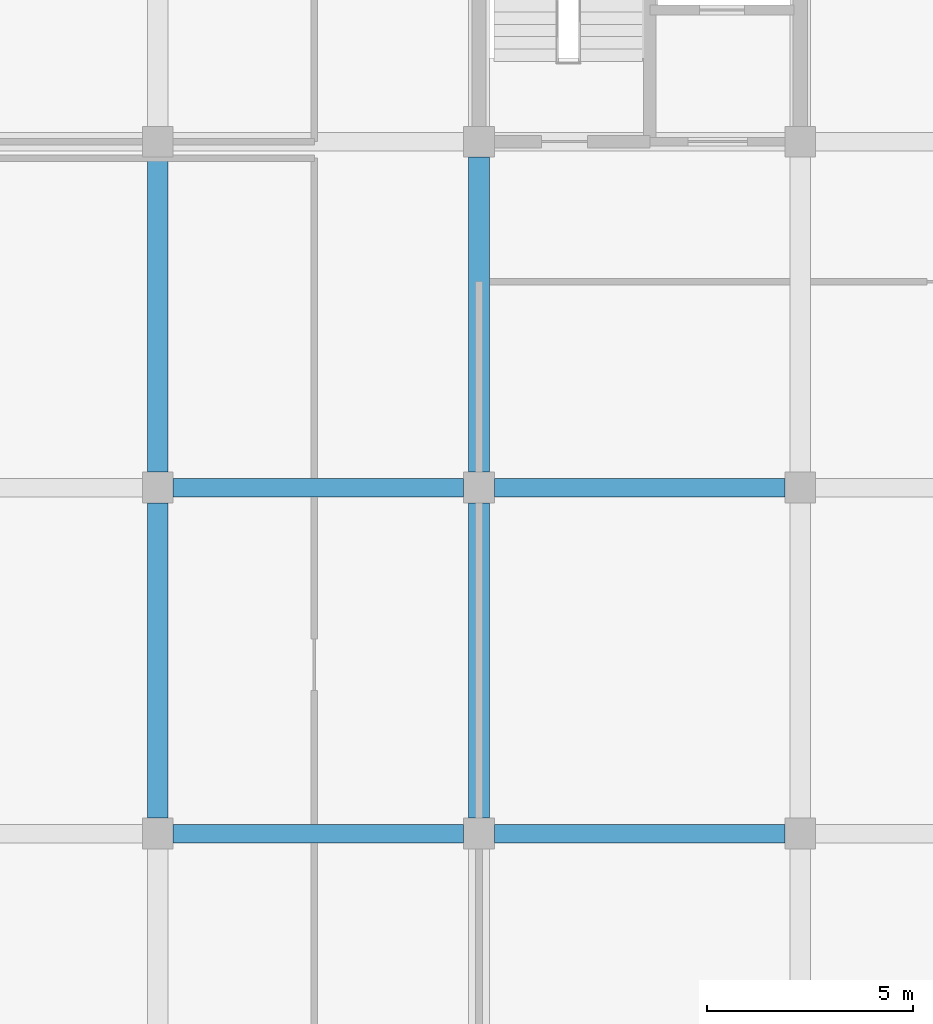
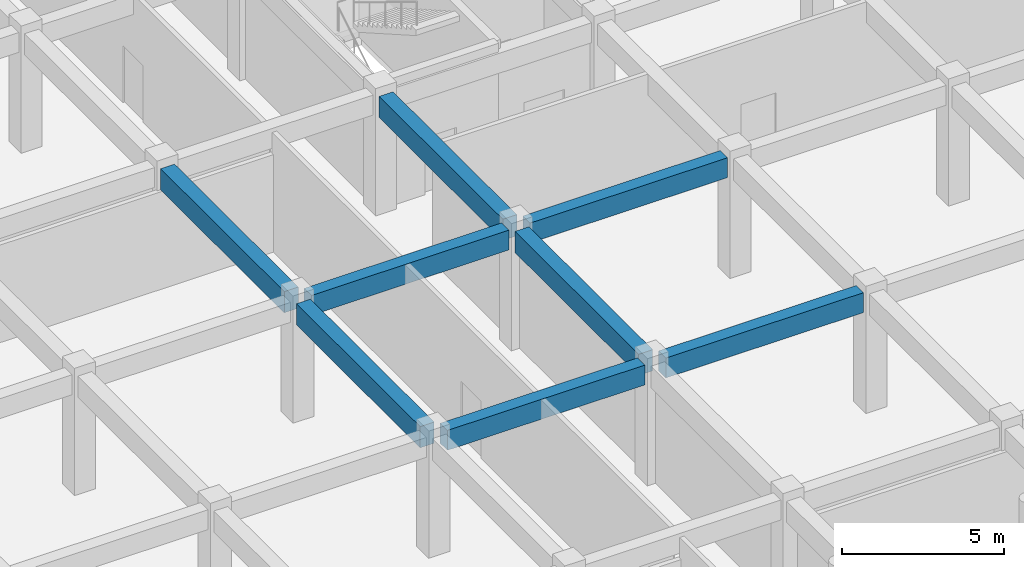
# One storey, part 23 of 175: 8 beams.
"""IFC4 building model written with IfcOpenShell, lengths in metres."""

from ifc_helpers import new_model, si_unit, direction, frame, origin, origin_2d, place, context, subcontext, project, spatial, rectangle, extrude, material, material_profile, profile_set, type_object, element, save


model = new_model("IFC4")

# Units and contexts
model_context = context("Model", 3, precision=1e-05, world=origin(), true_north=direction((0.0, 1.0)))
body_context = subcontext(model_context, "Body", "Model", "MODEL_VIEW")
ifc_project = project(units=[si_unit("LENGTHUNIT", "METRE"), si_unit("AREAUNIT", "SQUARE_METRE"), si_unit("VOLUMEUNIT", "CUBIC_METRE"), si_unit("PLANEANGLEUNIT", "RADIAN"), si_unit("MASSUNIT", "GRAM", prefix="KILO")], contexts=[model_context])

# Site, building, storey
site_placement = place(None, origin())
site = spatial("IfcSite", under=ifc_project, at=site_placement, CompositionType="ELEMENT")
building_placement = place(site_placement, origin())
building = spatial("IfcBuilding", under=site, at=building_placement, Name="Zizhar Promenade General Hospital", CompositionType="ELEMENT")
storey_placement = place(building_placement, frame((0.0, 0.0, 4.800048828125)))
storey = spatial("IfcBuildingStorey", under=building, at=storey_placement, Name="L01", CompositionType="ELEMENT", Elevation=4.800048828125)

# Beams
ifc_material_1 = material(Name="Concrete C35/45", Category="concrete")
ifc_material_profile_1 = material_profile(ifc_material_1, rectangle(XDim=0.449951171875, YDim=0.75, at=origin_2d()))
ifc_profile_set_1 = profile_set([ifc_material_profile_1], Name="Concrete C35/45")
beam_type_1 = type_object("IfcBeamType", Name="BM-RC-450x750", PredefinedType="BEAM", material=ifc_profile_set_1)
for number, where, z_axis, x_axis, name in (
    (1, (15.97509765625, 33.60009765625, 4.094970703125), (1.0, 0.0, 0.0), (0.0, 1.0, 0.0), "Grid Beam X L01 (2-4)"),
    (2, (15.97509765625, 42.0, 4.094970703125), (1.0, 0.0, 0.0), (0.0, 1.0, 0.0), "Grid Beam X L01 (2-5)"),
):
    element("IfcBeam", number, at=place(storey_placement, frame(where, z_axis=z_axis, x_axis=x_axis)), inside=storey, type_object=beam_type_1, Name=name, PredefinedType="BEAM", context=body_context, shape_type="SweptSolid", body=[
        extrude(rectangle(XDim=0.449951171875, YDim=0.75, at=origin_2d()), origin(), (0.0, 0.0, 1.0), 7.0498046875),
    ])
for number, where, z_axis, x_axis, name in (
    (3, (23.77490234375, 33.60009765625, 4.094970703125), (1.0, 0.0, 0.0), (0.0, 1.0, 0.0), "Grid Beam X L01 (3-4)"),
    (4, (23.77490234375, 42.0, 4.094970703125), (1.0, 0.0, 0.0), (0.0, 1.0, 0.0), "Grid Beam X L01 (3-5)"),
):
    element("IfcBeam", number, at=place(storey_placement, frame(where, z_axis=z_axis, x_axis=x_axis)), inside=storey, type_object=beam_type_1, Name=name, PredefinedType="BEAM", context=body_context, shape_type="SweptSolid", body=[
        extrude(rectangle(XDim=0.449951171875, YDim=0.75, at=origin_2d()), origin(), (0.0, 0.0, 1.0), 7.050048828125),
    ])
ifc_material_2 = material(Name="Concrete C35/45", Category="concrete")
ifc_material_profile_2 = material_profile(ifc_material_2, rectangle(XDim=0.5, YDim=0.800048828125, at=origin_2d()))
ifc_profile_set_2 = profile_set([ifc_material_profile_2], Name="Concrete C35/45")
beam_type_2 = type_object("IfcBeamType", Name="BM-RC-500x800", PredefinedType="BEAM", material=ifc_profile_set_2)
for number, where, z_axis, x_axis, name in (
    (5, (15.60009765625, 33.97509765625, 4.070068359375), (0.0, 1.0, 0.0), (-1.0, 0.0, 0.0), "Grid Beam Y L01 (2-4)"),
    (6, (15.60009765625, 42.375, 4.070068359375), (0.0, 1.0, 0.0), (-1.0, 0.0, 0.0), "Grid Beam Y L01 (2-5)"),
    (7, (23.39990234375, 33.97509765625, 4.070068359375), (0.0, 1.0, 0.0), (-1.0, 0.0, 0.0), "Grid Beam Y L01 (3-4)"),
    (8, (23.39990234375, 42.375, 4.070068359375), (0.0, 1.0, 0.0), (-1.0, 0.0, 0.0), "Grid Beam Y L01 (3-5)"),
):
    element("IfcBeam", number, at=place(storey_placement, frame(where, z_axis=z_axis, x_axis=x_axis)), inside=storey, type_object=beam_type_2, Name=name, PredefinedType="BEAM", context=body_context, shape_type="SweptSolid", body=[
        extrude(rectangle(XDim=0.5, YDim=0.800048828125, at=origin_2d()), origin(), (0.0, 0.0, 1.0), 7.64990234375),
    ])

save(model, "model.ifc")
